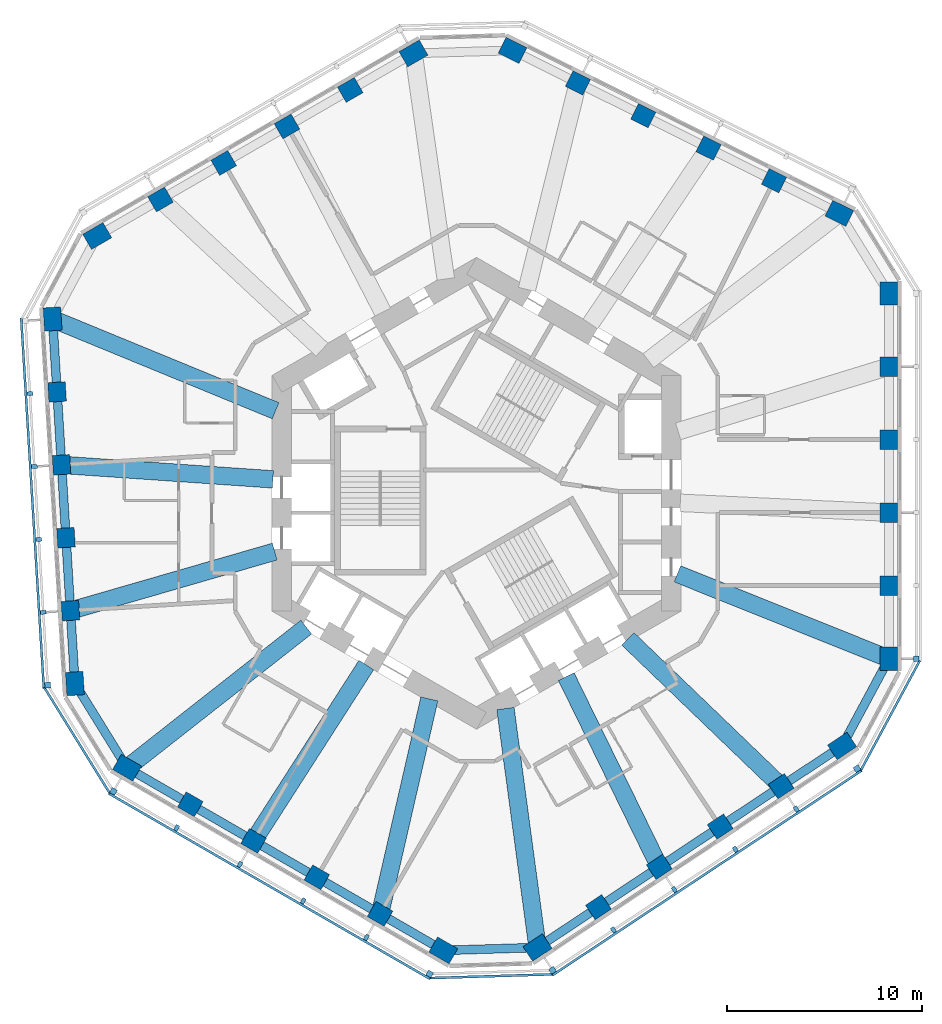
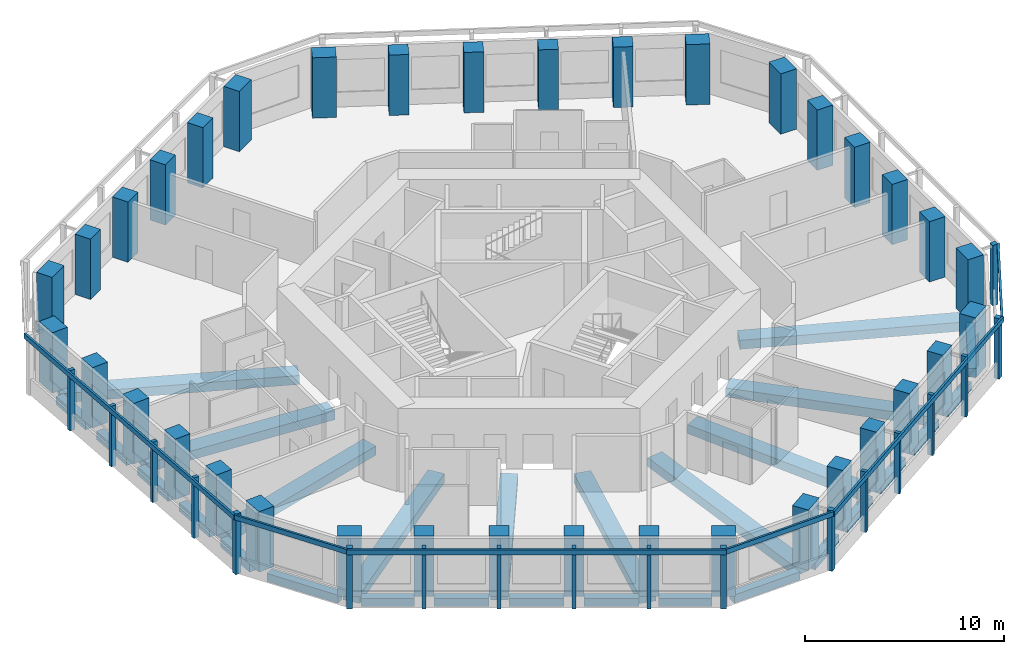
# One storey, part 1 of 11: 36 columns, 28 beams, 24 members, 7 elements without a shape of their own.
"""IFC4 building model written with IfcOpenShell, lengths in metres."""

from ifc_helpers import new_model, si_unit, direction, frame, origin, origin_2d, place, context, subcontext, project, spatial, rectangle, extrude, material, material_profile, profile_set, type_object, element, aggregate, save


model = new_model("IFC4")

# Units and contexts
model_context = context("Model", 3, precision=1e-05, world=origin(), true_north=direction((0.0, 1.0)))
body_context = subcontext(model_context, "Body", "Model", "MODEL_VIEW")
ifc_project = project(units=[si_unit("LENGTHUNIT", "METRE"), si_unit("AREAUNIT", "SQUARE_METRE"), si_unit("VOLUMEUNIT", "CUBIC_METRE"), si_unit("PLANEANGLEUNIT", "RADIAN"), si_unit("MASSUNIT", "GRAM", prefix="KILO")], contexts=[model_context])

# Site, building, storey
site_placement = place(None, origin())
site = spatial("IfcSite", under=ifc_project, at=site_placement, CompositionType="ELEMENT")
building_placement = place(site_placement, origin())
building = spatial("IfcBuilding", under=site, at=building_placement, Name="Vanh Sen Convention Tower", CompositionType="ELEMENT")
storey_placement = place(building_placement, frame((0.0, 0.0, 168.800048828125)))
storey = spatial("IfcBuildingStorey", under=building, at=storey_placement, Name="L41", CompositionType="ELEMENT", Elevation=168.800048828125)

# Columns
ifc_material_1 = material(Name="Concrete C80/95", Category="concrete")
ifc_material_profile_1 = material_profile(ifc_material_1, rectangle(XDim=1.0, YDim=0.89990234375, at=origin_2d()), Name="RC 1000X900")
ifc_profile_set_1 = profile_set([ifc_material_profile_1], Name="Concrete C80/95")
column_type_1 = type_object("IfcColumnType", Name="Facade column 1000 x 900 C80/95", PredefinedType="COLUMN", material=ifc_profile_set_1)
for number, where, z_axis, x_axis, name in (
    (1, (21.199951171875, -4.746826171875, 0.0), (0.0, 0.0, 1.0), (0.0, 1.0, 0.0), "Facade column 02 L41"),
    (2, (21.199951171875, -0.992919921875, 0.0), (0.0, 0.0, 1.0), (0.0, 1.0, 0.0), "Facade column 03 L41"),
    (3, (21.199951171875, 2.76123046875, 0.0), (0.0, 0.0, 1.0), (0.0, 1.0, 0.0), "Facade column 04 L41"),
    (4, (21.199951171875, 6.515380859375, 0.0), (0.0, 0.0, 1.0), (0.0, 1.0, 0.0), "Facade column 05 L41"),
    (5, (15.290283203125, 16.0654296875, 0.0), (0.0, 0.0, 1.0), (-0.894934361602, 0.44619781311, 0.0), "Facade column 08 L41"),
    (6, (11.9306640625, 17.740478515625, 0.0), (0.0, 0.0, 1.0), (-0.894934361602, 0.44619781311, 0.0), "Facade column 09 L41"),
    (7, (8.57080078125, 19.41552734375, 0.0), (0.0, 0.0, 1.0), (-0.894934361602, 0.44619781311, 0.0), "Facade column 10 L41"),
    (8, (5.211181640625, 21.0908203125, 0.0), (0.0, 0.0, 1.0), (-0.894934361602, 0.44619781311, 0.0), "Facade column 11 L41"),
    (9, (-6.489013671875, 20.733154296875, 0.0), (0.0, 0.0, 1.0), (-0.866025403784, -0.5, 0.0), "Facade column 14 L41"),
    (10, (-9.740234375, 18.856201171875, 0.0), (0.0, 0.0, 1.0), (-0.866025403784, -0.5, 0.0), "Facade column 15 L41"),
    (11, (-12.991455078125, 16.97900390625, 0.0), (0.0, 0.0, 1.0), (-0.866025403784, -0.5, 0.0), "Facade column 16 L41"),
    (12, (-16.242431640625, 15.10205078125, 0.0), (0.0, 0.0, 1.0), (-0.866025403784, -0.5, 0.0), "Facade column 17 L41"),
    (13, (-21.55810546875, 5.208984375, 0.0), (0.0, 0.0, 1.0), (0.061048539535, -0.998134798422, 0.0), "Facade column 20 L41"),
    (14, (-21.3291015625, 1.4619140625, 0.0), (0.0, 0.0, 1.0), (0.061048539535, -0.998134798422, 0.0), "Facade column 21 L41"),
    (15, (-21.099853515625, -2.28515625, 0.0), (0.0, 0.0, 1.0), (0.061048539535, -0.998134798422, 0.0), "Facade column 22 L41"),
    (16, (-20.87060546875, -6.0322265625, 0.0), (0.0, 0.0, 1.0), (0.061048539535, -0.998134798422, 0.0), "Facade column 23 L41"),
    (17, (-14.7109375, -15.986328125, 0.0), (0.0, 0.0, 1.0), (0.866025403784, -0.5, 0.0), "Facade column 26 L41"),
    (18, (-11.459716796875, -17.86328125, 0.0), (0.0, 0.0, 1.0), (0.866025403784, -0.5, 0.0), "Facade column 27 L41"),
    (19, (-8.20849609375, -19.740478515625, 0.0), (0.0, 0.0, 1.0), (0.866025403784, -0.5, 0.0), "Facade column 28 L41"),
    (20, (-4.95751953125, -21.617431640625, 0.0), (0.0, 0.0, 1.0), (0.866025403784, -0.5, 0.0), "Facade column 29 L41"),
    (21, (6.267822265625, -21.2744140625, 0.0), (0.0, 0.0, 1.0), (0.833885822067, 0.551936985312, 0.0), "Facade column 32 L41"),
    (22, (9.3984375, -19.202392578125, 0.0), (0.0, 0.0, 1.0), (0.833885822067, 0.551936985312, 0.0), "Facade column 33 L41"),
    (23, (12.52880859375, -17.13037109375, 0.0), (0.0, 0.0, 1.0), (0.833885822067, 0.551936985312, 0.0), "Facade column 34 L41"),
    (24, (15.659423828125, -15.058349609375, 0.0), (0.0, 0.0, 1.0), (0.833885822067, 0.551936985312, 0.0), "Facade column 35 L41"),
):
    element("IfcColumn", number, at=place(storey_placement, frame(where, z_axis=z_axis, x_axis=x_axis)), inside=storey, type_object=column_type_1, Name=name, PredefinedType="COLUMN", context=body_context, shape_type="SweptSolid", body=[
        extrude(rectangle(XDim=1.0, YDim=0.89990234375, at=origin_2d()), origin(), (0.0, 0.0, 1.0), 3.699951171875),
    ])
ifc_material_profile_2 = material_profile(ifc_material_1, rectangle(XDim=1.199951171875, YDim=0.89990234375, at=origin_2d()), Name="RC 1200X900")
ifc_profile_set_2 = profile_set([ifc_material_profile_2], Name="Concrete C80/95")
column_type_2 = type_object("IfcColumnType", Name="Facade corner column 1200 x 900 C80/95", PredefinedType="COLUMN", material=ifc_profile_set_2)
for number, where, z_axis, x_axis, name in (
    (25, (21.199951171875, -8.5009765625, 0.0), (0.0, 0.0, 1.0), (0.0, 1.0, 0.0), "Facade column 01 L41"),
    (26, (21.199951171875, 10.26953125, 0.0), (0.0, 0.0, 1.0), (0.0, 1.0, 0.0), "Facade column 06 L41"),
    (27, (18.64990234375, 14.390380859375, 0.0), (0.0, 0.0, 1.0), (-0.894934361602, 0.44619781311, 0.0), "Facade column 07 L41"),
    (28, (1.8515625, 22.765625, 0.0), (0.0, 0.0, 1.0), (-0.894934361602, 0.44619781311, 0.0), "Facade column 12 L41"),
    (29, (-3.23779296875, 22.610107421875, 0.0), (0.0, 0.0, 1.0), (-0.866025403784, -0.5, 0.0), "Facade column 13 L41"),
    (30, (-19.49365234375, 13.22509765625, 0.0), (0.0, 0.0, 1.0), (-0.866025403784, -0.5, 0.0), "Facade column 18 L41"),
    (31, (-21.787353515625, 8.956298828125, 0.0), (0.0, 0.0, 1.0), (0.061048539535, -0.998134798422, 0.0), "Facade column 19 L41"),
    (32, (-20.6416015625, -9.779296875, 0.0), (0.0, 0.0, 1.0), (0.061048539535, -0.998134798422, 0.0), "Facade column 24 L41"),
    (33, (-17.962158203125, -14.109130859375, 0.0), (0.0, 0.0, 1.0), (0.866025403784, -0.5, 0.0), "Facade column 25 L41"),
    (34, (-1.706298828125, -23.494384765625, 0.0), (0.0, 0.0, 1.0), (0.866025403784, -0.5, 0.0), "Facade column 30 L41"),
    (35, (3.137451171875, -23.346435546875, 0.0), (0.0, 0.0, 1.0), (0.833885822067, 0.551936985312, 0.0), "Facade column 31 L41"),
    (36, (18.789794921875, -12.986328125, 0.0), (0.0, 0.0, 1.0), (0.833885822067, 0.551936985312, 0.0), "Facade column 36 L41"),
):
    element("IfcColumn", number, at=place(storey_placement, frame(where, z_axis=z_axis, x_axis=x_axis)), inside=storey, type_object=column_type_2, Name=name, PredefinedType="COLUMN", context=body_context, shape_type="SweptSolid", body=[
        extrude(rectangle(XDim=1.199951171875, YDim=0.89990234375, at=origin_2d()), origin(), (0.0, 0.0, 1.0), 3.699951171875),
    ])

# Curtain wall, member
ifc_material_2 = material(Name="Concrete C50/60", Category="concrete")
curtain_wall_type = type_object("IfcCurtainWallType", Name="Outer skin office zone", PredefinedType="NOTDEFINED", material=ifc_material_2)
curtain_wall_1_placement = place(storey_placement, origin())
curtain_wall_1 = element("IfcCurtainWall", 37, at=curtain_wall_1_placement, inside=storey, type_object=curtain_wall_type, Name="OUTER SKIN E L41", PredefinedType="NOTDEFINED")
ifc_material_profile_3 = material_profile(ifc_material_2, rectangle(XDim=0.300048828125, YDim=0.300048828125, at=origin_2d()), Name="Outer skin precast corner fin 300 x 300")
ifc_profile_set_3 = profile_set([ifc_material_profile_3], Name="Concrete C50/60")
member_type_1 = type_object("IfcMemberType", Name="Outer skin precast corner fin 300 x 300", PredefinedType="MULLION", material=ifc_profile_set_3)
member_1_placement = place(storey_placement, frame((22.60009765625, -8.5009765625, 0.0), z_axis=(0.0, 0.0, 1.0), x_axis=(0.0, 1.0, 0.0)))
member_1 = element("IfcMember", 38, at=member_1_placement, type_object=member_type_1, Name="OUTER SKIN CORNER FIN 1 E L41", PredefinedType="MULLION", context=body_context, shape_type="SweptSolid", body=[
    extrude(rectangle(XDim=0.300048828125, YDim=0.300048828125, at=origin_2d()), origin(), (0.0, 0.0, 1.0), 3.699951171875),
])
aggregate(curtain_wall_1, [member_1])

curtain_wall_2_placement = place(storey_placement, origin())
curtain_wall_2 = element("IfcCurtainWall", 39, at=curtain_wall_2_placement, inside=storey, type_object=curtain_wall_type, Name="OUTER SKIN W L41", PredefinedType="NOTDEFINED")
member_2_placement = place(storey_placement, frame((-22.038818359375, -9.864990234375, 0.0), z_axis=(0.0, 0.0, 1.0), x_axis=(0.061048539535, -0.998134798422, 0.0)))
member_2 = element("IfcMember", 40, at=member_2_placement, type_object=member_type_1, Name="OUTER SKIN CORNER FIN 6 W L41", PredefinedType="MULLION", context=body_context, shape_type="SweptSolid", body=[
    extrude(rectangle(XDim=0.300048828125, YDim=0.300048828125, at=origin_2d()), origin(), (0.0, 0.0, 1.0), 3.699951171875),
])

# Curtain wall, members
curtain_wall_3_placement = place(storey_placement, origin())
curtain_wall_3 = element("IfcCurtainWall", 41, at=curtain_wall_3_placement, inside=storey, type_object=curtain_wall_type, Name="OUTER SKIN SW L41", PredefinedType="NOTDEFINED")
member_3_placement = place(storey_placement, frame((-18.662109375, -15.321533203125, 0.0), z_axis=(0.0, 0.0, 1.0), x_axis=(0.866025403784, -0.5, 0.0)))
member_3 = element("IfcMember", 42, at=member_3_placement, type_object=member_type_1, Name="OUTER SKIN CORNER FIN 1 SW L41", PredefinedType="MULLION", context=body_context, shape_type="SweptSolid", body=[
    extrude(rectangle(XDim=0.300048828125, YDim=0.300048828125, at=origin_2d()), origin(), (0.0, 0.0, 1.0), 3.699951171875),
])
member_4_placement = place(storey_placement, frame((-2.40625, -24.706787109375, 0.0), z_axis=(0.0, 0.0, 1.0), x_axis=(0.866025403784, -0.5, 0.0)))
member_4 = element("IfcMember", 43, at=member_4_placement, type_object=member_type_1, Name="OUTER SKIN CORNER FIN 6 SW L41", PredefinedType="MULLION", context=body_context, shape_type="SweptSolid", body=[
    extrude(rectangle(XDim=0.300048828125, YDim=0.300048828125, at=origin_2d()), origin(), (0.0, 0.0, 1.0), 3.699951171875),
])

curtain_wall_4_placement = place(storey_placement, origin())
curtain_wall_4 = element("IfcCurtainWall", 44, at=curtain_wall_4_placement, inside=storey, type_object=curtain_wall_type, Name="OUTER SKIN SE L41", PredefinedType="NOTDEFINED")
member_5_placement = place(storey_placement, frame((3.91015625, -24.513916015625, 0.0), z_axis=(0.0, 0.0, 1.0), x_axis=(0.833885822067, 0.551936985312, 0.0)))
member_5 = element("IfcMember", 45, at=member_5_placement, type_object=member_type_1, Name="OUTER SKIN CORNER FIN 1 SE L41", PredefinedType="MULLION", context=body_context, shape_type="SweptSolid", body=[
    extrude(rectangle(XDim=0.300048828125, YDim=0.300048828125, at=origin_2d()), origin(), (0.0, 0.0, 1.0), 3.699951171875),
])
member_6_placement = place(storey_placement, frame((19.5625, -14.15380859375, 0.0), z_axis=(0.0, 0.0, 1.0), x_axis=(0.833885822067, 0.551936985312, 0.0)))
member_6 = element("IfcMember", 46, at=member_6_placement, type_object=member_type_1, Name="OUTER SKIN CORNER FIN 6 SE L41", PredefinedType="MULLION", context=body_context, shape_type="SweptSolid", body=[
    extrude(rectangle(XDim=0.300048828125, YDim=0.300048828125, at=origin_2d()), origin(), (0.0, 0.0, 1.0), 3.699951171875),
])

# Member
ifc_material_profile_4 = material_profile(ifc_material_2, rectangle(XDim=0.199951171875, YDim=0.300048828125, at=origin_2d()), Name="Outer skin precast fin 200 x 300")
ifc_profile_set_4 = profile_set([ifc_material_profile_4], Name="Concrete C50/60")
member_type_2 = type_object("IfcMemberType", Name="Outer skin precast fin 200 x 300", PredefinedType="MULLION", material=ifc_profile_set_4)
member_7_placement = place(storey_placement, frame((-22.95556640625, 5.12353515625, 0.0), z_axis=(0.0, 0.0, 1.0), x_axis=(0.061048539535, -0.998134798422, 0.0)))
member_7 = element("IfcMember", 47, at=member_7_placement, type_object=member_type_2, Name="OUTER SKIN fin 2 W L41", PredefinedType="MULLION", context=body_context, shape_type="SweptSolid", body=[
    extrude(rectangle(XDim=0.199951171875, YDim=0.300048828125, at=origin_2d()), origin(), (0.0, 0.0, 1.0), 3.699951171875),
])

member_8_placement = place(storey_placement, frame((-22.726318359375, 1.37646484375, 0.0), z_axis=(0.0, 0.0, 1.0), x_axis=(0.061048539535, -0.998134798422, 0.0)))
member_8 = element("IfcMember", 48, at=member_8_placement, type_object=member_type_2, Name="OUTER SKIN fin 3 W L41", PredefinedType="MULLION", context=body_context, shape_type="SweptSolid", body=[
    extrude(rectangle(XDim=0.199951171875, YDim=0.300048828125, at=origin_2d()), origin(), (0.0, 0.0, 1.0), 3.699951171875),
])

member_9_placement = place(storey_placement, frame((-22.497314453125, -2.37060546875, 0.0), z_axis=(0.0, 0.0, 1.0), x_axis=(0.061048539535, -0.998134798422, 0.0)))
member_9 = element("IfcMember", 49, at=member_9_placement, type_object=member_type_2, Name="OUTER SKIN fin 4 W L41", PredefinedType="MULLION", context=body_context, shape_type="SweptSolid", body=[
    extrude(rectangle(XDim=0.199951171875, YDim=0.300048828125, at=origin_2d()), origin(), (0.0, 0.0, 1.0), 3.699951171875),
])

member_10_placement = place(storey_placement, frame((-22.26806640625, -6.117919921875, 0.0), z_axis=(0.0, 0.0, 1.0), x_axis=(0.061048539535, -0.998134798422, 0.0)))
member_10 = element("IfcMember", 50, at=member_10_placement, type_object=member_type_2, Name="OUTER SKIN fin 5 W L41", PredefinedType="MULLION", context=body_context, shape_type="SweptSolid", body=[
    extrude(rectangle(XDim=0.199951171875, YDim=0.300048828125, at=origin_2d()), origin(), (0.0, 0.0, 1.0), 3.699951171875),
])

member_11_placement = place(storey_placement, frame((-15.410888671875, -17.19873046875, 0.0), z_axis=(0.0, 0.0, 1.0), x_axis=(0.866025403784, -0.5, 0.0)))
member_11 = element("IfcMember", 51, at=member_11_placement, type_object=member_type_2, Name="OUTER SKIN fin 2 SW L41", PredefinedType="MULLION", context=body_context, shape_type="SweptSolid", body=[
    extrude(rectangle(XDim=0.199951171875, YDim=0.300048828125, at=origin_2d()), origin(), (0.0, 0.0, 1.0), 3.699951171875),
])

member_12_placement = place(storey_placement, frame((-12.159912109375, -19.07568359375, 0.0), z_axis=(0.0, 0.0, 1.0), x_axis=(0.866025403784, -0.5, 0.0)))
member_12 = element("IfcMember", 52, at=member_12_placement, type_object=member_type_2, Name="OUTER SKIN fin 3 SW L41", PredefinedType="MULLION", context=body_context, shape_type="SweptSolid", body=[
    extrude(rectangle(XDim=0.199951171875, YDim=0.300048828125, at=origin_2d()), origin(), (0.0, 0.0, 1.0), 3.699951171875),
])

member_13_placement = place(storey_placement, frame((-8.90869140625, -20.952880859375, 0.0), z_axis=(0.0, 0.0, 1.0), x_axis=(0.866025403784, -0.5, 0.0)))
member_13 = element("IfcMember", 53, at=member_13_placement, type_object=member_type_2, Name="OUTER SKIN fin 4 SW L41", PredefinedType="MULLION", context=body_context, shape_type="SweptSolid", body=[
    extrude(rectangle(XDim=0.199951171875, YDim=0.300048828125, at=origin_2d()), origin(), (0.0, 0.0, 1.0), 3.699951171875),
])

member_14_placement = place(storey_placement, frame((-5.657470703125, -22.829833984375, 0.0), z_axis=(0.0, 0.0, 1.0), x_axis=(0.866025403784, -0.5, 0.0)))
member_14 = element("IfcMember", 54, at=member_14_placement, type_object=member_type_2, Name="OUTER SKIN fin 5 SW L41", PredefinedType="MULLION", context=body_context, shape_type="SweptSolid", body=[
    extrude(rectangle(XDim=0.199951171875, YDim=0.300048828125, at=origin_2d()), origin(), (0.0, 0.0, 1.0), 3.699951171875),
])

member_15_placement = place(storey_placement, frame((7.04052734375, -22.44189453125, 0.0), z_axis=(0.0, 0.0, 1.0), x_axis=(0.833885822067, 0.551936985312, 0.0)))
member_15 = element("IfcMember", 55, at=member_15_placement, type_object=member_type_2, Name="OUTER SKIN fin 2 SE L41", PredefinedType="MULLION", context=body_context, shape_type="SweptSolid", body=[
    extrude(rectangle(XDim=0.199951171875, YDim=0.300048828125, at=origin_2d()), origin(), (0.0, 0.0, 1.0), 3.699951171875),
])

member_16_placement = place(storey_placement, frame((10.171142578125, -20.369873046875, 0.0), z_axis=(0.0, 0.0, 1.0), x_axis=(0.833885822067, 0.551936985312, 0.0)))
member_16 = element("IfcMember", 56, at=member_16_placement, type_object=member_type_2, Name="OUTER SKIN fin 3 SE L41", PredefinedType="MULLION", context=body_context, shape_type="SweptSolid", body=[
    extrude(rectangle(XDim=0.199951171875, YDim=0.300048828125, at=origin_2d()), origin(), (0.0, 0.0, 1.0), 3.699951171875),
])

member_17_placement = place(storey_placement, frame((13.301513671875, -18.2978515625, 0.0), z_axis=(0.0, 0.0, 1.0), x_axis=(0.833885822067, 0.551936985312, 0.0)))
member_17 = element("IfcMember", 57, at=member_17_placement, type_object=member_type_2, Name="OUTER SKIN fin 4 SE L41", PredefinedType="MULLION", context=body_context, shape_type="SweptSolid", body=[
    extrude(rectangle(XDim=0.199951171875, YDim=0.300048828125, at=origin_2d()), origin(), (0.0, 0.0, 1.0), 3.699951171875),
])

member_18_placement = place(storey_placement, frame((16.43212890625, -16.225830078125, 0.0), z_axis=(0.0, 0.0, 1.0), x_axis=(0.833885822067, 0.551936985312, 0.0)))
member_18 = element("IfcMember", 58, at=member_18_placement, type_object=member_type_2, Name="OUTER SKIN fin 5 SE L41", PredefinedType="MULLION", context=body_context, shape_type="SweptSolid", body=[
    extrude(rectangle(XDim=0.199951171875, YDim=0.300048828125, at=origin_2d()), origin(), (0.0, 0.0, 1.0), 3.699951171875),
])

ifc_material_profile_5 = material_profile(ifc_material_2, rectangle(XDim=0.1201171875, YDim=0.300048828125, at=origin_2d()), Name="Outer skin precast spandrel band 300 x 120")
ifc_profile_set_5 = profile_set([ifc_material_profile_5], Name="Concrete C50/60")
member_type_3 = type_object("IfcMemberType", Name="Outer skin precast spandrel band 300 x 120", PredefinedType="USERDEFINED", material=ifc_profile_set_5)
member_19_placement = place(storey_placement, frame((-23.403564453125, 9.007568359375, 3.550048828125), z_axis=(0.061052799403, -0.998134537868, 0.0), x_axis=(0.998134537868, 0.061052799403, 0.0)))
member_19 = element("IfcMember", 59, at=member_19_placement, type_object=member_type_3, Name="OUTER SKIN spandrel band W L41", ObjectType="TRANSOM", PredefinedType="USERDEFINED", context=body_context, shape_type="SweptSolid", body=[
    extrude(rectangle(XDim=0.1201171875, YDim=0.300048828125, at=origin_2d()), origin(), (0.0, 0.0, 1.0), 19.070556640625),
])

aggregate(curtain_wall_2, [member_7, member_8, member_9, member_10, member_2, member_19])

# Curtain wall, member
curtain_wall_5_placement = place(storey_placement, origin())
curtain_wall_5 = element("IfcCurtainWall", 60, at=curtain_wall_5_placement, inside=storey, type_object=curtain_wall_type, Name="OUTER SKIN CH4 L41", PredefinedType="NOTDEFINED")
member_20_placement = place(storey_placement, frame((-22.217529296875, -9.975341796875, 3.550048828125), z_axis=(0.526207913146, -0.85035594438, 0.0), x_axis=(0.85035594438, 0.526207913146, 0.0)))
member_20 = element("IfcMember", 61, at=member_20_placement, type_object=member_type_3, Name="OUTER SKIN spandrel band CH4 L41", ObjectType="TRANSOM", PredefinedType="USERDEFINED", context=body_context, shape_type="SweptSolid", body=[
    extrude(rectangle(XDim=0.1201171875, YDim=0.300048828125, at=origin_2d()), origin(), (0.0, 0.0, 1.0), 6.4169921875),
])
aggregate(curtain_wall_5, [member_20])

# Member
member_21_placement = place(storey_placement, frame((-18.89697265625, -15.428466796875, 3.550048828125), z_axis=(0.866023136587, -0.500003926881, 0.0), x_axis=(0.500003926881, 0.866023136587, 0.0)))
member_21 = element("IfcMember", 62, at=member_21_placement, type_object=member_type_3, Name="OUTER SKIN spandrel band SW L41", ObjectType="TRANSOM", PredefinedType="USERDEFINED", context=body_context, shape_type="SweptSolid", body=[
    extrude(rectangle(XDim=0.1201171875, YDim=0.300048828125, at=origin_2d()), origin(), (0.0, 0.0, 1.0), 19.070556640625),
])

aggregate(curtain_wall_3, [member_3, member_11, member_12, member_13, member_14, member_4, member_21])

# Curtain wall, member
curtain_wall_6_placement = place(storey_placement, origin())
curtain_wall_6 = element("IfcCurtainWall", 63, at=curtain_wall_6_placement, inside=storey, type_object=curtain_wall_type, Name="OUTER SKIN CH5 L41", PredefinedType="NOTDEFINED")
member_22_placement = place(storey_placement, frame((-2.39990234375, -24.916748046875, 3.550048828125), z_axis=(0.99953413443, 0.030520716071, 0.0), x_axis=(-0.030520716071, 0.99953413443, 0.0)))
member_22 = element("IfcMember", 64, at=member_22_placement, type_object=member_type_3, Name="OUTER SKIN spandrel band CH5 L41", ObjectType="TRANSOM", PredefinedType="USERDEFINED", context=body_context, shape_type="SweptSolid", body=[
    extrude(rectangle(XDim=0.1201171875, YDim=0.300048828125, at=origin_2d()), origin(), (0.0, 0.0, 1.0), 6.3193359375),
])
aggregate(curtain_wall_6, [member_22])

# Member
member_23_placement = place(storey_placement, frame((3.90087890625, -24.771728515625, 3.550048828125), z_axis=(0.833891134859, 0.551928958475, 0.0), x_axis=(-0.551928958475, 0.833891134859, 0.0)))
member_23 = element("IfcMember", 65, at=member_23_placement, type_object=member_type_3, Name="OUTER SKIN spandrel band SE L41", ObjectType="TRANSOM", PredefinedType="USERDEFINED", context=body_context, shape_type="SweptSolid", body=[
    extrude(rectangle(XDim=0.1201171875, YDim=0.300048828125, at=origin_2d()), origin(), (0.0, 0.0, 1.0), 19.070556640625),
])

aggregate(curtain_wall_4, [member_5, member_15, member_16, member_17, member_18, member_6, member_23])

# Curtain wall, member
curtain_wall_7_placement = place(storey_placement, origin())
curtain_wall_7 = element("IfcCurtainWall", 66, at=curtain_wall_7_placement, inside=storey, type_object=curtain_wall_type, Name="OUTER SKIN CH6 L41", PredefinedType="NOTDEFINED")
member_24_placement = place(storey_placement, frame((19.74755859375, -14.253173828125, 3.550048828125), z_axis=(0.473316922434, 0.880892213008, 0.0), x_axis=(-0.880892213008, 0.473316922434, 0.0)))
member_24 = element("IfcMember", 67, at=member_24_placement, type_object=member_type_3, Name="OUTER SKIN spandrel band CH6 L41", ObjectType="TRANSOM", PredefinedType="USERDEFINED", context=body_context, shape_type="SweptSolid", body=[
    extrude(rectangle(XDim=0.1201171875, YDim=0.300048828125, at=origin_2d()), origin(), (0.0, 0.0, 1.0), 6.417236328125),
])
aggregate(curtain_wall_7, [member_24])

# Beams
ifc_material_3 = material(Name="Concrete C50/60", Category="concrete")
ifc_material_profile_6 = material_profile(ifc_material_3, rectangle(XDim=0.89990234375, YDim=0.550048828125, at=origin_2d()), Name="RC 900X550")
ifc_profile_set_6 = profile_set([ifc_material_profile_6], Name="Concrete C50/60")
beam_type_1 = type_object("IfcBeamType", Name="Radial floor beam 900 x 550", PredefinedType="BEAM", material=ifc_profile_set_6)
beam_1_placement = place(storey_placement, frame((20.922119140625, -8.3896484375, -0.554931640625), z_axis=(-0.928156247891, 0.372190783739, 0.0), x_axis=(-0.372190783739, -0.928156247891, 0.0)))
element("IfcBeam", 68, at=beam_1_placement, inside=storey, type_object=beam_type_1, Name="Radial beam 01 L41", PredefinedType="BEAM", context=body_context, shape_type="SweptSolid", body=[
    extrude(rectangle(XDim=0.89990234375, YDim=0.550048828125, at=origin_2d()), origin(), (0.0, 0.0, 1.0), 11.414306640625),
])
beam_2_placement = place(storey_placement, frame((-21.53125, 8.850830078125, -0.554931640625), z_axis=(0.92490243395, -0.380204533998, 0.0), x_axis=(0.380204533998, 0.92490243395, 0.0)))
element("IfcBeam", 69, at=beam_2_placement, inside=storey, type_object=beam_type_1, Name="Radial beam 10 L41", PredefinedType="BEAM", context=body_context, shape_type="SweptSolid", body=[
    extrude(rectangle(XDim=0.89990234375, YDim=0.550048828125, at=origin_2d()), origin(), (0.0, 0.0, 1.0), 12.116943359375),
])
beam_3_placement = place(storey_placement, frame((-20.939697265625, 1.435302734375, -0.554931640625), z_axis=(0.997659241785, -0.068381556588, 0.0), x_axis=(0.068381556588, 0.997659241785, 0.0)))
element("IfcBeam", 70, at=beam_3_placement, inside=storey, type_object=beam_type_1, Name="Radial beam 11 L41", PredefinedType="BEAM", context=body_context, shape_type="SweptSolid", body=[
    extrude(rectangle(XDim=0.89990234375, YDim=0.550048828125, at=origin_2d()), origin(), (0.0, 0.0, 1.0), 10.500244140625),
])
beam_4_placement = place(storey_placement, frame((-20.60791015625, -5.956298828125, -0.554931640625), z_axis=(0.960679153389, 0.277660879932, 0.0), x_axis=(-0.277660879932, 0.960679153389, 0.0)))
element("IfcBeam", 71, at=beam_4_placement, inside=storey, type_object=beam_type_1, Name="Radial beam 12 L41", PredefinedType="BEAM", context=body_context, shape_type="SweptSolid", body=[
    extrude(rectangle(XDim=0.89990234375, YDim=0.550048828125, at=origin_2d()), origin(), (0.0, 0.0, 1.0), 10.65673828125),
])
beam_5_placement = place(storey_placement, frame((-17.726806640625, -13.92431640625, -0.554931640625), z_axis=(0.786405168583, 0.61771102534, 0.0), x_axis=(-0.61771102534, 0.786405168583, 0.0)))
element("IfcBeam", 72, at=beam_5_placement, inside=storey, type_object=beam_type_1, Name="Radial beam 13 L41", PredefinedType="BEAM", context=body_context, shape_type="SweptSolid", body=[
    extrude(rectangle(XDim=0.89990234375, YDim=0.550048828125, at=origin_2d()), origin(), (0.0, 0.0, 1.0), 11.414306640625),
])
beam_6_placement = place(storey_placement, frame((-11.230712890625, -17.506103515625, -0.554931640625), z_axis=(0.539962921318, 0.841688804489, 0.0), x_axis=(-0.841688804489, 0.539962921318, 0.0)))
element("IfcBeam", 73, at=beam_6_placement, inside=storey, type_object=beam_type_1, Name="Radial beam 14 L41", PredefinedType="BEAM", context=body_context, shape_type="SweptSolid", body=[
    extrude(rectangle(XDim=0.89990234375, YDim=0.550048828125, at=origin_2d()), origin(), (0.0, 0.0, 1.0), 10.3134765625),
])
beam_7_placement = place(storey_placement, frame((-4.905517578125, -21.390625, -0.554931640625), z_axis=(0.223529773199, 0.974697101921, 0.0), x_axis=(-0.974697101921, 0.223529773199, 0.0)))
element("IfcBeam", 74, at=beam_7_placement, inside=storey, type_object=beam_type_1, Name="Radial beam 15 L41", PredefinedType="BEAM", context=body_context, shape_type="SweptSolid", body=[
    extrude(rectangle(XDim=0.89990234375, YDim=0.550048828125, at=origin_2d()), origin(), (0.0, 0.0, 1.0), 11.1044921875),
])
beam_8_placement = place(storey_placement, frame((3.1005859375, -23.072021484375, -0.554931640625), z_axis=(-0.133182520442, 0.991091527685, 0.0), x_axis=(-0.991091527685, -0.133182520442, 0.0)))
element("IfcBeam", 75, at=beam_8_placement, inside=storey, type_object=beam_type_1, Name="Radial beam 16 L41", PredefinedType="BEAM", context=body_context, shape_type="SweptSolid", body=[
    extrude(rectangle(XDim=0.89990234375, YDim=0.550048828125, at=origin_2d()), origin(), (0.0, 0.0, 1.0), 12.116943359375),
])
beam_9_placement = place(storey_placement, frame((9.226806640625, -18.85205078125, -0.554931640625), z_axis=(-0.439589583386, 0.898198752047, 0.0), x_axis=(-0.898198752047, -0.439589583386, 0.0)))
element("IfcBeam", 76, at=beam_9_placement, inside=storey, type_object=beam_type_1, Name="Radial beam 17 L41", PredefinedType="BEAM", context=body_context, shape_type="SweptSolid", body=[
    extrude(rectangle(XDim=0.89990234375, YDim=0.550048828125, at=origin_2d()), origin(), (0.0, 0.0, 1.0), 10.5),
])
beam_10_placement = place(storey_placement, frame((15.462158203125, -14.868896484375, -0.554931640625), z_axis=(-0.720797844742, 0.693145343356, 0.0), x_axis=(-0.693145343356, -0.720797844742, 0.0)))
element("IfcBeam", 77, at=beam_10_placement, inside=storey, type_object=beam_type_1, Name="Radial beam 18 L41", PredefinedType="BEAM", context=body_context, shape_type="SweptSolid", body=[
    extrude(rectangle(XDim=0.89990234375, YDim=0.550048828125, at=origin_2d()), origin(), (0.0, 0.0, 1.0), 10.656494140625),
])
ifc_material_profile_7 = material_profile(ifc_material_3, rectangle(XDim=0.449951171875, YDim=0.5, at=origin_2d()), Name="RC 450X500")
ifc_profile_set_7 = profile_set([ifc_material_profile_7], Name="Concrete C50/60")
beam_type_2 = type_object("IfcBeamType", Name="Spandrel beam 450 x 500", PredefinedType="SPANDREL", material=ifc_profile_set_7)
beam_11_placement = place(storey_placement, frame((-21.751220703125, 8.3623046875, -0.530029296875), z_axis=(0.061123105648, -0.998130234967, 0.0), x_axis=(0.998130234967, 0.061123105648, 0.0)))
element("IfcBeam", 78, at=beam_11_placement, inside=storey, type_object=beam_type_2, Name="Spandrel beam 19 L41", PredefinedType="SPANDREL", context=body_context, shape_type="SweptSolid", body=[
    extrude(rectangle(XDim=0.449951171875, YDim=0.5, at=origin_2d()), origin(), (0.0, 0.0, 1.0), 2.6640625),
])
for number, where, z_axis, x_axis, name in (
    (79, (-21.528076171875, 4.715087890625, -0.530029296875), (0.061113654492, -0.998130813689, 0.0), (0.998130813689, 0.061113654492, 0.0), "Spandrel beam 20 L41"),
    (80, (-21.298828125, 0.968017578125, -0.530029296875), (0.061113654492, -0.998130813689, 0.0), (0.998130813689, 0.061113654492, 0.0), "Spandrel beam 21 L41"),
):
    element("IfcBeam", number, at=place(storey_placement, frame(where, z_axis=z_axis, x_axis=x_axis)), inside=storey, type_object=beam_type_2, Name=name, PredefinedType="SPANDREL", context=body_context, shape_type="SweptSolid", body=[
        extrude(rectangle(XDim=0.449951171875, YDim=0.5, at=origin_2d()), origin(), (0.0, 0.0, 1.0), 2.764404296875),
    ])
beam_12_placement = place(storey_placement, frame((-21.069580078125, -2.779296875, -0.530029296875), z_axis=(0.061036429863, -0.998135539007, 0.0), x_axis=(0.998135539007, 0.061036429863, 0.0)))
element("IfcBeam", 81, at=beam_12_placement, inside=storey, type_object=beam_type_2, Name="Spandrel beam 22 L41", PredefinedType="SPANDREL", context=body_context, shape_type="SweptSolid", body=[
    extrude(rectangle(XDim=0.449951171875, YDim=0.5, at=origin_2d()), origin(), (0.0, 0.0, 1.0), 2.763916015625),
])
beam_13_placement = place(storey_placement, frame((-20.840576171875, -6.5263671875, -0.530029296875), z_axis=(0.061123105648, -0.998130234967, 0.0), x_axis=(0.998130234967, 0.061123105648, 0.0)))
element("IfcBeam", 82, at=beam_13_placement, inside=storey, type_object=beam_type_2, Name="Spandrel beam 23 L41", PredefinedType="SPANDREL", context=body_context, shape_type="SweptSolid", body=[
    extrude(rectangle(XDim=0.449951171875, YDim=0.5, at=origin_2d()), origin(), (0.0, 0.0, 1.0), 2.6640625),
])
beam_14_placement = place(storey_placement, frame((-20.3642578125, -10.2275390625, -0.530029296875), z_axis=(0.526210982295, -0.850354045156, 0.0), x_axis=(0.850354045156, 0.526210982295, 0.0)))
element("IfcBeam", 83, at=beam_14_placement, inside=storey, type_object=beam_type_2, Name="Spandrel beam 24 L41", PredefinedType="SPANDREL", context=body_context, shape_type="SweptSolid", body=[
    extrude(rectangle(XDim=0.449951171875, YDim=0.5, at=origin_2d()), origin(), (0.0, 0.0, 1.0), 4.037841796875),
])
beam_15_placement = place(storey_placement, frame((-17.44677734375, -14.40673828125, -0.530029296875), z_axis=(0.866023818221, -0.500002746266, 0.0), x_axis=(0.500002746266, 0.866023818221, 0.0)))
element("IfcBeam", 84, at=beam_15_placement, inside=storey, type_object=beam_type_2, Name="Spandrel beam 25 L41", PredefinedType="SPANDREL", context=body_context, shape_type="SweptSolid", body=[
    extrude(rectangle(XDim=0.449951171875, YDim=0.5, at=origin_2d()), origin(), (0.0, 0.0, 1.0), 2.6640625),
])
beam_16_placement = place(storey_placement, frame((-14.2822265625, -16.23388671875, -0.530029296875), z_axis=(0.866060565847, -0.499939092575, 0.0), x_axis=(0.499939092575, 0.866060565847, 0.0)))
element("IfcBeam", 85, at=beam_16_placement, inside=storey, type_object=beam_type_2, Name="Spandrel beam 26 L41", PredefinedType="SPANDREL", context=body_context, shape_type="SweptSolid", body=[
    extrude(rectangle(XDim=0.449951171875, YDim=0.5, at=origin_2d()), origin(), (0.0, 0.0, 1.0), 2.763916015625),
])
for number, where, z_axis, x_axis, name in (
    (86, (-11.031005859375, -18.11083984375, -0.530029296875), (0.866022320763, -0.500005339912, 0.0), (0.500005339912, 0.866022320763, 0.0), "Spandrel beam 27 L41"),
    (87, (-7.77978515625, -19.98779296875, -0.530029296875), (0.865961984968, -0.500109828528, 0.0), (0.500109828528, 0.865961984968, 0.0), "Spandrel beam 28 L41"),
):
    element("IfcBeam", number, at=place(storey_placement, frame(where, z_axis=z_axis, x_axis=x_axis)), inside=storey, type_object=beam_type_2, Name=name, PredefinedType="SPANDREL", context=body_context, shape_type="SweptSolid", body=[
        extrude(rectangle(XDim=0.449951171875, YDim=0.5, at=origin_2d()), origin(), (0.0, 0.0, 1.0), 2.76416015625),
    ])
beam_17_placement = place(storey_placement, frame((-4.52880859375, -21.864990234375, -0.530029296875), z_axis=(0.866023818221, -0.500002746266, 0.0), x_axis=(0.500002746266, 0.866023818221, 0.0)))
element("IfcBeam", 88, at=beam_17_placement, inside=storey, type_object=beam_type_2, Name="Spandrel beam 29 L41", PredefinedType="SPANDREL", context=body_context, shape_type="SweptSolid", body=[
    extrude(rectangle(XDim=0.449951171875, YDim=0.5, at=origin_2d()), origin(), (0.0, 0.0, 1.0), 2.6640625),
])
beam_18_placement = place(storey_placement, frame((-1.219970703125, -23.4794921875, -0.530029296875), z_axis=(0.999534445971, 0.030510511595, 0.0), x_axis=(-0.030510511595, 0.999534445971, 0.0)))
element("IfcBeam", 89, at=beam_18_placement, inside=storey, type_object=beam_type_2, Name="Spandrel beam 30 L41", PredefinedType="SPANDREL", context=body_context, shape_type="SweptSolid", body=[
    extrude(rectangle(XDim=0.449951171875, YDim=0.5, at=origin_2d()), origin(), (0.0, 0.0, 1.0), 3.872802734375),
])
beam_19_placement = place(storey_placement, frame((3.633544921875, -23.01806640625, -0.530029296875), z_axis=(0.833864593577, 0.551969056722, 0.0), x_axis=(-0.551969056722, 0.833864593577, 0.0)))
element("IfcBeam", 90, at=beam_19_placement, inside=storey, type_object=beam_type_2, Name="Spandrel beam 31 L41", PredefinedType="SPANDREL", context=body_context, shape_type="SweptSolid", body=[
    extrude(rectangle(XDim=0.449951171875, YDim=0.5, at=origin_2d()), origin(), (0.0, 0.0, 1.0), 2.6640625),
])
for number, where, z_axis, x_axis, name in (
    (91, (6.6806640625, -21.001220703125, -0.530029296875), (0.833880195108, 0.551945486625, 0.0), (-0.551945486625, 0.833880195108, 0.0), "Spandrel beam 32 L41"),
    (92, (9.811279296875, -18.92919921875, -0.530029296875), (0.833880195108, 0.551945486625, 0.0), (-0.551945486625, 0.833880195108, 0.0), "Spandrel beam 33 L41"),
    (93, (12.941650390625, -16.857177734375, -0.530029296875), (0.833880195108, 0.551945486625, 0.0), (-0.551945486625, 0.833880195108, 0.0), "Spandrel beam 34 L41"),
):
    element("IfcBeam", number, at=place(storey_placement, frame(where, z_axis=z_axis, x_axis=x_axis)), inside=storey, type_object=beam_type_2, Name=name, PredefinedType="SPANDREL", context=body_context, shape_type="SweptSolid", body=[
        extrude(rectangle(XDim=0.449951171875, YDim=0.5, at=origin_2d()), origin(), (0.0, 0.0, 1.0), 2.76416015625),
    ])
beam_20_placement = place(storey_placement, frame((16.072265625, -14.78515625, -0.530029296875), z_axis=(0.833864593577, 0.551969056722, 0.0), x_axis=(-0.551969056722, 0.833864593577, 0.0)))
element("IfcBeam", 94, at=beam_20_placement, inside=storey, type_object=beam_type_2, Name="Spandrel beam 35 L41", PredefinedType="SPANDREL", context=body_context, shape_type="SweptSolid", body=[
    extrude(rectangle(XDim=0.449951171875, YDim=0.5, at=origin_2d()), origin(), (0.0, 0.0, 1.0), 2.6640625),
])
beam_21_placement = place(storey_placement, frame((19.039306640625, -12.522216796875, -0.530029296875), z_axis=(0.473331705403, 0.880884269731, 0.0), x_axis=(-0.880884269731, 0.473331705403, 0.0)))
element("IfcBeam", 95, at=beam_21_placement, inside=storey, type_object=beam_type_2, Name="Spandrel beam 36 L41", PredefinedType="SPANDREL", context=body_context, shape_type="SweptSolid", body=[
    extrude(rectangle(XDim=0.449951171875, YDim=0.5, at=origin_2d()), origin(), (0.0, 0.0, 1.0), 4.0380859375),
])

save(model, "model.ifc")
